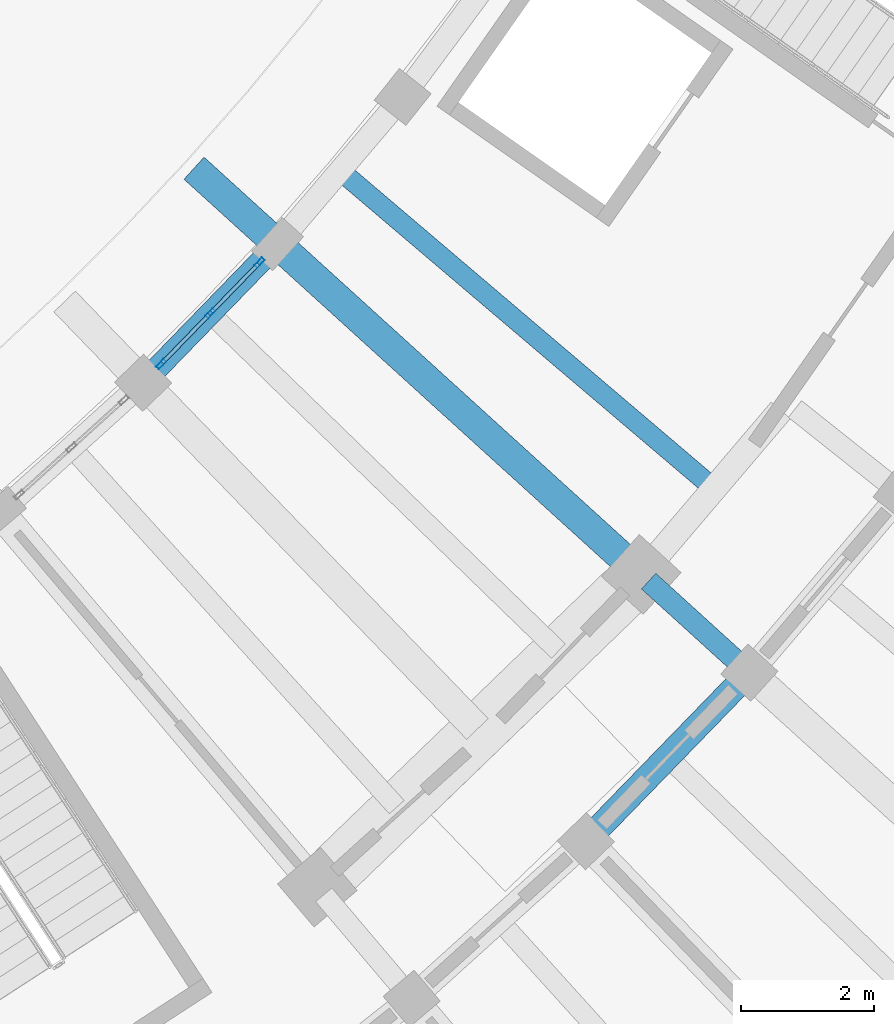
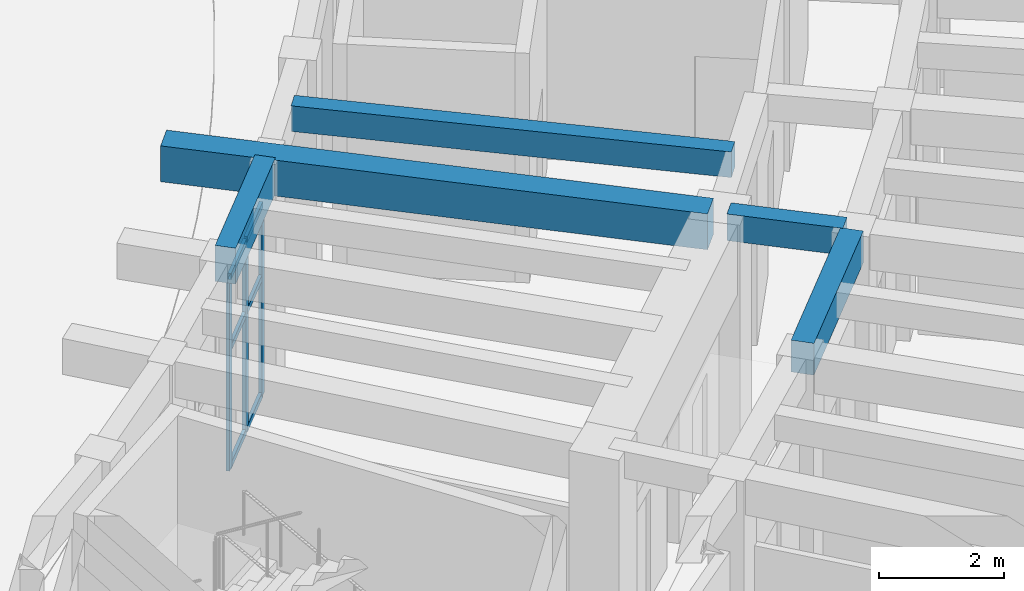
# One storey, part 57 of 132: 9 members, 5 beams, 1 element without a shape of its own.
"""IFC4 building model written with IfcOpenShell, lengths in metres."""

from ifc_helpers import new_model, si_unit, direction, frame, origin, origin_2d, place, context, subcontext, project, spatial, rectangle, hollow_rectangle, extrude, material, material_profile, profile_set, type_object, element, aggregate, save


model = new_model("IFC4")

# Units and contexts
model_context = context("Model", 3, precision=1e-05, world=origin(), true_north=direction((0.0, 1.0)))
body_context = subcontext(model_context, "Body", "Model", "MODEL_VIEW")
ifc_project = project(units=[si_unit("LENGTHUNIT", "METRE"), si_unit("AREAUNIT", "SQUARE_METRE"), si_unit("VOLUMEUNIT", "CUBIC_METRE"), si_unit("PLANEANGLEUNIT", "RADIAN"), si_unit("MASSUNIT", "GRAM", prefix="KILO")], contexts=[model_context])

# Site, building, storey
site_placement = place(None, origin())
site = spatial("IfcSite", under=ifc_project, at=site_placement, CompositionType="ELEMENT")
building_placement = place(site_placement, origin())
building = spatial("IfcBuilding", under=site, at=building_placement, Name="Tanwirah Colonnade Gardens", CompositionType="ELEMENT")
storey_placement = place(building_placement, origin())
storey = spatial("IfcBuildingStorey", under=building, at=storey_placement, Name="L00", CompositionType="ELEMENT", Elevation=0.0)

# Beams
ifc_material_1 = material(Name="Precast concrete C40/50", Category="concrete")
ifc_material_profile_1 = material_profile(ifc_material_1, rectangle(XDim=0.320068359375, YDim=0.52001953125, at=origin_2d()), Name="PC-BM 320x520")
ifc_profile_set_1 = profile_set([ifc_material_profile_1], Name="Precast concrete C40/50")
beam_type_1 = type_object("IfcBeamType", Name="BM-PC320", PredefinedType="BEAM", material=ifc_profile_set_1)
beam_1_placement = place(storey_placement, frame((159.491455078125, 29.536865234375, 4.22509765625), z_axis=(0.740219127015, -0.672365707038, 0.0), x_axis=(0.672365707038, 0.740219127015, 0.0)))
element("IfcBeam", 1, at=beam_1_placement, inside=storey, type_object=beam_type_1, Name="Block D L00 Corridor Tie Beam 9", PredefinedType="BEAM", context=body_context, shape_type="SweptSolid", body=[
    extrude(rectangle(XDim=0.320068359375, YDim=0.52001953125, at=origin_2d()), origin(), (0.0, 0.0, 1.0), 1.899658203125),
])
ifc_material_profile_2 = material_profile(ifc_material_1, rectangle(XDim=0.3798828125, YDim=0.6201171875, at=origin_2d()), Name="PC-BM 380x620")
ifc_profile_set_2 = profile_set([ifc_material_profile_2], Name="Precast concrete C40/50")
beam_type_2 = type_object("IfcBeamType", Name="BM-PC380", PredefinedType="BEAM", material=ifc_profile_set_2)
beam_2_placement = place(storey_placement, frame((158.650634765625, 25.727294921875, 4.175048828125), z_axis=(0.696238887656, 0.717810149911, 0.0), x_axis=(-0.717810149911, 0.696238887656, 0.0)))
element("IfcBeam", 2, at=beam_2_placement, inside=storey, type_object=beam_type_2, Name="Block D L00 Circumferential Beam 8-R2", PredefinedType="BEAM", context=body_context, shape_type="SweptSolid", body=[
    extrude(rectangle(XDim=0.3798828125, YDim=0.6201171875, at=origin_2d()), origin(), (0.0, 0.0, 1.0), 3.23681640625),
])
ifc_material_2 = material(Name="Precast concrete C45/55", Category="concrete")
ifc_material_profile_3 = material_profile(ifc_material_2, rectangle(XDim=0.449951171875, YDim=0.699951171875, at=origin_2d()), Name="PC-BM 450x700")
ifc_profile_set_3 = profile_set([ifc_material_profile_3], Name="Precast concrete C45/55")
beam_type_3 = type_object("IfcBeamType", Name="BM-PC450", PredefinedType="BEAM", material=ifc_profile_set_3)
beam_3_placement = place(storey_placement, frame((159.269287109375, 29.738525390625, 4.135009765625), z_axis=(-0.740212791446, 0.672372681911, 0.0), x_axis=(-0.672372681911, -0.740212791446, 0.0)))
element("IfcBeam", 3, at=beam_3_placement, inside=storey, type_object=beam_type_3, Name="Block D L00 Inner Radial Precast Girder 9", PredefinedType="BEAM", context=body_context, shape_type="SweptSolid", body=[
    extrude(rectangle(XDim=0.449951171875, YDim=0.699951171875, at=origin_2d()), origin(), (0.0, 0.0, 1.0), 8.9501953125),
])

# Curtain wall, members
ifc_material_3 = material(Name="Bronze-anodised aluminium and solar-control low-E glass", Category="aluminium")
curtain_wall_type = type_object("IfcCurtainWallType", Name="CW-GDN", PredefinedType="NOTDEFINED", material=ifc_material_3)
curtain_wall_placement = place(storey_placement, origin())
curtain_wall = element("IfcCurtainWall", 4, at=curtain_wall_placement, inside=storey, type_object=curtain_wall_type, Name="Curtain Wall CW-D-L00-IN-08", PredefinedType="NOTDEFINED")
ifc_material_4 = material(Name="Bronze-anodised aluminium", Category="aluminium")
ifc_material_profile_4 = material_profile(ifc_material_4, hollow_rectangle(XDim=0.06005859375, YDim=0.159912109375, WallThickness=0.00390625, at=origin_2d()), Name="CW-MUL 60x160x4")
ifc_profile_set_4 = profile_set([ifc_material_profile_4], Name="Bronze-anodised aluminium")
member_type_1 = type_object("IfcMemberType", Name="CWM-60x160", PredefinedType="MULLION", material=ifc_profile_set_4)
member_1_placement = place(storey_placement, frame((152.149169921875, 32.80517578125, 0.0), z_axis=(0.0, 0.0, 1.0), x_axis=(-0.717825107678, 0.696223466127, 0.0)))
member_1 = element("IfcMember", 5, at=member_1_placement, type_object=member_type_1, Name="CW-GDN mullion 1", PredefinedType="MULLION", context=body_context, shape_type="SweptSolid", body=[
    extrude(hollow_rectangle(XDim=0.06005859375, YDim=0.159912109375, WallThickness=0.00390625, at=origin_2d()), origin(), (0.0, 0.0, 1.0), 3.7548828125),
])
member_2_placement = place(storey_placement, frame((152.89013671875, 33.5693359375, 0.0), z_axis=(0.0, 0.0, 1.0), x_axis=(-0.717825107678, 0.696223466127, 0.0)))
member_2 = element("IfcMember", 6, at=member_2_placement, type_object=member_type_1, Name="CW-GDN mullion 2", PredefinedType="MULLION", context=body_context, shape_type="SweptSolid", body=[
    extrude(hollow_rectangle(XDim=0.06005859375, YDim=0.159912109375, WallThickness=0.00390625, at=origin_2d()), origin(), (0.0, 0.0, 1.0), 3.7548828125),
])
member_3_placement = place(storey_placement, frame((153.631103515625, 34.333251953125, 0.0), z_axis=(0.0, 0.0, 1.0), x_axis=(-0.717825107678, 0.696223466127, 0.0)))
member_3 = element("IfcMember", 7, at=member_3_placement, type_object=member_type_1, Name="CW-GDN mullion 3", PredefinedType="MULLION", context=body_context, shape_type="SweptSolid", body=[
    extrude(hollow_rectangle(XDim=0.06005859375, YDim=0.159912109375, WallThickness=0.00390625, at=origin_2d()), origin(), (0.0, 0.0, 1.0), 3.7548828125),
])
ifc_material_profile_5 = material_profile(ifc_material_4, hollow_rectangle(XDim=0.06005859375, YDim=0.1201171875, WallThickness=0.00390625, at=origin_2d()), Name="CW-TRN 60x120x4")
ifc_profile_set_5 = profile_set([ifc_material_profile_5], Name="Bronze-anodised aluminium")
member_type_2 = type_object("IfcMemberType", Name="CWT-60x120", PredefinedType="USERDEFINED", material=ifc_profile_set_5)
member_4_placement = place(storey_placement, frame((152.169921875, 32.826904296875, 0.030029296875), z_axis=(0.696206577043, 0.717841488131, 0.0), x_axis=(-0.717841488131, 0.696206577043, 0.0)))
member_4 = element("IfcMember", 8, at=member_4_placement, type_object=member_type_2, Name="CW-GDN transom 1.1", ObjectType="TRANSOM", PredefinedType="USERDEFINED", context=body_context, shape_type="SweptSolid", body=[
    extrude(hollow_rectangle(XDim=0.06005859375, YDim=0.1201171875, WallThickness=0.00390625, at=origin_2d()), origin(), (0.0, 0.0, 1.0), 1.00439453125),
])
member_5_placement = place(storey_placement, frame((152.169921875, 32.826904296875, 2.328125), z_axis=(0.696206577043, 0.717841488131, 0.0), x_axis=(-0.717841488131, 0.696206577043, 0.0)))
member_5 = element("IfcMember", 9, at=member_5_placement, type_object=member_type_2, Name="CW-GDN transom 1.2", ObjectType="TRANSOM", PredefinedType="USERDEFINED", context=body_context, shape_type="SweptSolid", body=[
    extrude(hollow_rectangle(XDim=0.06005859375, YDim=0.1201171875, WallThickness=0.00390625, at=origin_2d()), origin(), (0.0, 0.0, 1.0), 1.00439453125),
])
member_6_placement = place(storey_placement, frame((152.169921875, 32.826904296875, 3.72509765625), z_axis=(0.696206577043, 0.717841488131, 0.0), x_axis=(-0.717841488131, 0.696206577043, 0.0)))
member_6 = element("IfcMember", 10, at=member_6_placement, type_object=member_type_2, Name="CW-GDN transom 1.3", ObjectType="TRANSOM", PredefinedType="USERDEFINED", context=body_context, shape_type="SweptSolid", body=[
    extrude(hollow_rectangle(XDim=0.06005859375, YDim=0.1201171875, WallThickness=0.00390625, at=origin_2d()), origin(), (0.0, 0.0, 1.0), 1.00439453125),
])
member_7_placement = place(storey_placement, frame((152.9111328125, 33.5908203125, 0.030029296875), z_axis=(0.696206577043, 0.717841488131, 0.0), x_axis=(-0.717841488131, 0.696206577043, 0.0)))
member_7 = element("IfcMember", 11, at=member_7_placement, type_object=member_type_2, Name="CW-GDN transom 2.1", ObjectType="TRANSOM", PredefinedType="USERDEFINED", context=body_context, shape_type="SweptSolid", body=[
    extrude(hollow_rectangle(XDim=0.06005859375, YDim=0.1201171875, WallThickness=0.00390625, at=origin_2d()), origin(), (0.0, 0.0, 1.0), 1.00439453125),
])
member_8_placement = place(storey_placement, frame((152.9111328125, 33.5908203125, 2.328125), z_axis=(0.696206577043, 0.717841488131, 0.0), x_axis=(-0.717841488131, 0.696206577043, 0.0)))
member_8 = element("IfcMember", 12, at=member_8_placement, type_object=member_type_2, Name="CW-GDN transom 2.2", ObjectType="TRANSOM", PredefinedType="USERDEFINED", context=body_context, shape_type="SweptSolid", body=[
    extrude(hollow_rectangle(XDim=0.06005859375, YDim=0.1201171875, WallThickness=0.00390625, at=origin_2d()), origin(), (0.0, 0.0, 1.0), 1.00439453125),
])
member_9_placement = place(storey_placement, frame((152.9111328125, 33.5908203125, 3.72509765625), z_axis=(0.696206577043, 0.717841488131, 0.0), x_axis=(-0.717841488131, 0.696206577043, 0.0)))
member_9 = element("IfcMember", 13, at=member_9_placement, type_object=member_type_2, Name="CW-GDN transom 2.3", ObjectType="TRANSOM", PredefinedType="USERDEFINED", context=body_context, shape_type="SweptSolid", body=[
    extrude(hollow_rectangle(XDim=0.06005859375, YDim=0.1201171875, WallThickness=0.00390625, at=origin_2d()), origin(), (0.0, 0.0, 1.0), 1.00439453125),
])
aggregate(curtain_wall, [member_1, member_2, member_3, member_4, member_5, member_6, member_7, member_8, member_9])

# Beams
ifc_material_profile_6 = material_profile(ifc_material_1, rectangle(XDim=0.300048828125, YDim=0.5, at=origin_2d()), Name="PC-JST 300x500")
ifc_profile_set_6 = profile_set([ifc_material_profile_6], Name="Precast concrete C40/50")
beam_type_4 = type_object("IfcBeamType", Name="JST-PC300", PredefinedType="JOIST", material=ifc_profile_set_6)
beam_4_placement = place(storey_placement, frame((154.954345703125, 35.628173828125, 4.235107421875), z_axis=(0.761816472242, -0.647792916464, 0.0), x_axis=(0.647792916464, 0.761816472242, 0.0)))
element("IfcBeam", 14, at=beam_4_placement, inside=storey, type_object=beam_type_4, Name="Block D L00 Inner Precast Floor Joist 9", PredefinedType="JOIST", context=body_context, shape_type="SweptSolid", body=[
    extrude(rectangle(XDim=0.300048828125, YDim=0.5, at=origin_2d()), origin(), (0.0, 0.0, 1.0), 7.159912109375),
])
ifc_material_profile_7 = material_profile(ifc_material_2, rectangle(XDim=0.340087890625, YDim=0.699951171875, at=origin_2d()), Name="PC-SP 340x700")
ifc_profile_set_7 = profile_set([ifc_material_profile_7], Name="Precast concrete C45/55")
beam_type_5 = type_object("IfcBeamType", Name="SP-PC340", PredefinedType="SPANDREL", material=ifc_profile_set_7)
beam_5_placement = place(storey_placement, frame((151.98193359375, 32.633056640625, 4.135009765625), z_axis=(0.696262751108, 0.717787002822, 0.0), x_axis=(-0.717787002822, 0.696262751108, 0.0)))
element("IfcBeam", 15, at=beam_5_placement, inside=storey, type_object=beam_type_5, Name="Block D L00 Circumferential Beam 8-R0", PredefinedType="SPANDREL", context=body_context, shape_type="SweptSolid", body=[
    extrude(rectangle(XDim=0.340087890625, YDim=0.699951171875, at=origin_2d()), origin(), (0.0, 0.0, 1.0), 2.60888671875),
])

save(model, "model.ifc")
